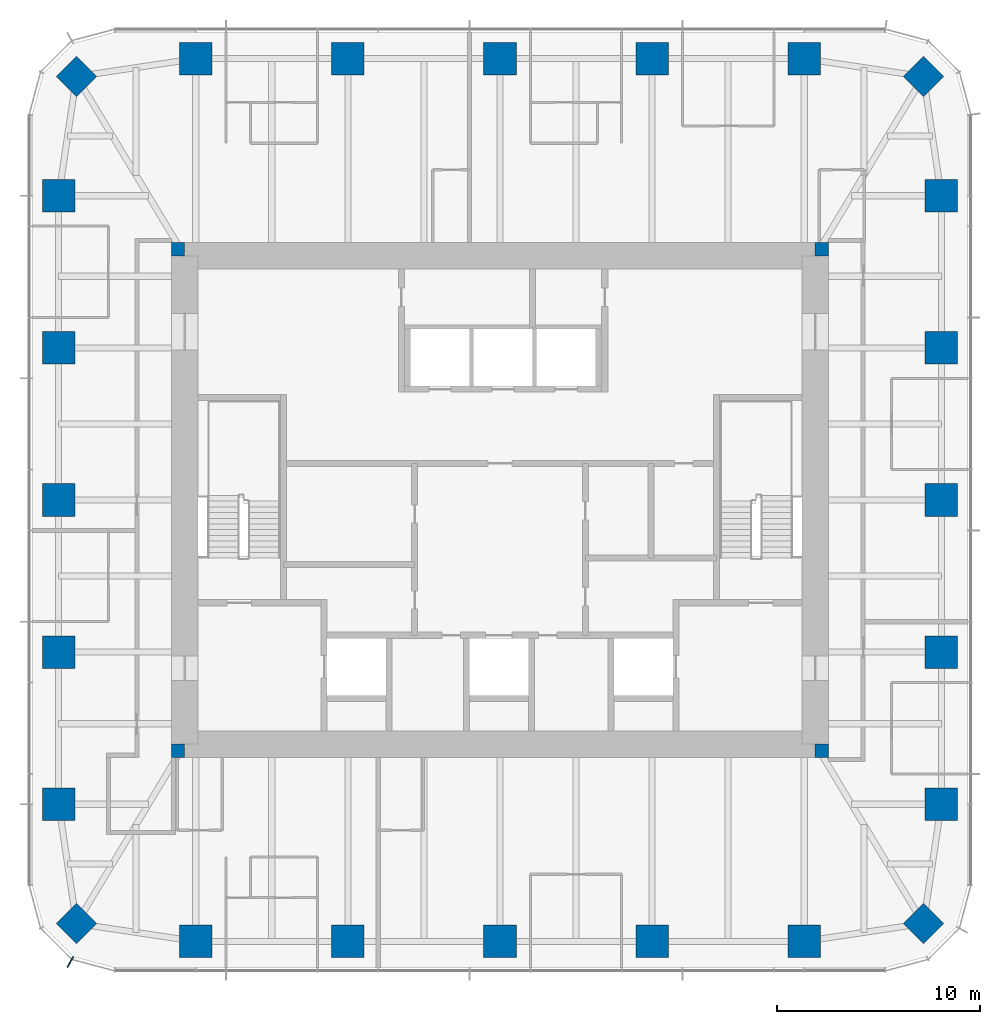
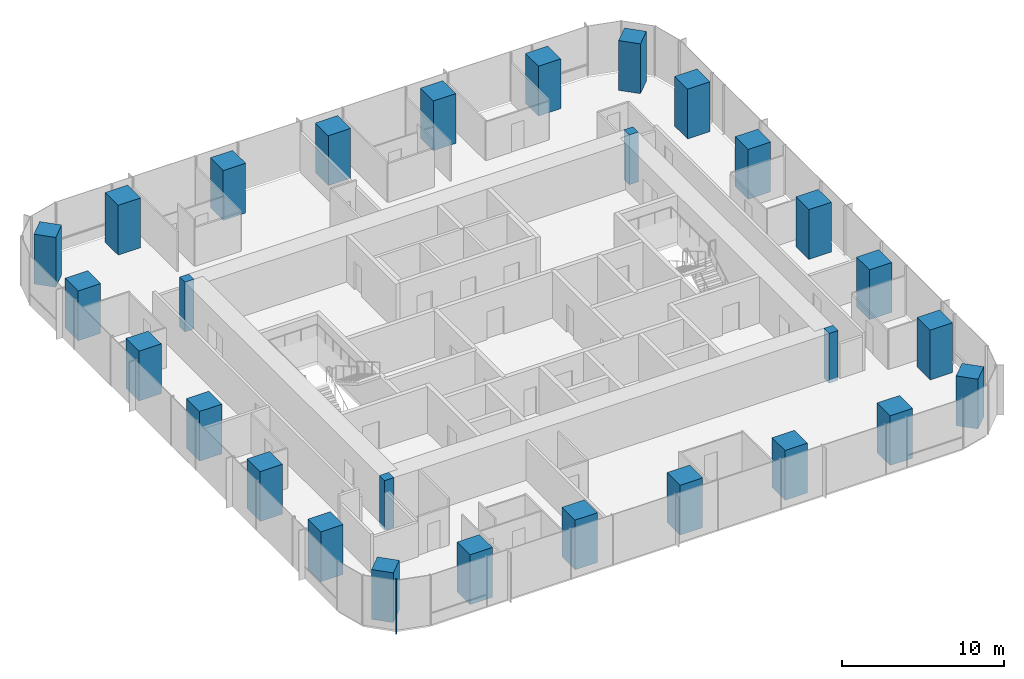
# One storey, part 1 of 12: 28 columns, 1 member, 1 element without a shape of its own.
"""IFC4 building model written with IfcOpenShell, lengths in metres."""

from ifc_helpers import new_model, si_unit, direction, frame, origin, origin_2d, place, context, subcontext, project, spatial, rectangle, extrude, material, material_profile, profile_set, type_object, element, aggregate, save


model = new_model("IFC4")

# Units and contexts
model_context = context("Model", 3, precision=1e-05, world=origin(), true_north=direction((0.0, 1.0)))
body_context = subcontext(model_context, "Body", "Model", "MODEL_VIEW")
ifc_project = project(units=[si_unit("LENGTHUNIT", "METRE"), si_unit("AREAUNIT", "SQUARE_METRE"), si_unit("VOLUMEUNIT", "CUBIC_METRE"), si_unit("PLANEANGLEUNIT", "RADIAN"), si_unit("MASSUNIT", "GRAM", prefix="KILO")], contexts=[model_context])

# Site, building, storey
site_placement = place(None, origin())
site = spatial("IfcSite", under=ifc_project, at=site_placement, CompositionType="ELEMENT")
building_placement = place(site_placement, origin())
building = spatial("IfcBuilding", under=site, at=building_placement, Name="Khuree Lantern Residences", CompositionType="ELEMENT")
storey_placement = place(building_placement, frame((0.0, 0.0, 338.25)))
storey = spatial("IfcBuildingStorey", under=building, at=storey_placement, Name="L85", CompositionType="ELEMENT", Elevation=338.25)

# Columns
ifc_material_1 = material(Name="Concrete C70/85", Category="concrete")
ifc_material_profile_1 = material_profile(ifc_material_1, rectangle(XDim=1.39990234375, YDim=1.39990234375, at=origin_2d()), Name="RC 1400X1400")
ifc_profile_set_1 = profile_set([ifc_material_profile_1], Name="Concrete C70/85")
column_type_1 = type_object("IfcColumnType", Name="CC1400 PERIMETER CORNER COLUMN RC 1400X1400", PredefinedType="COLUMN", material=ifc_profile_set_1)
for number, where, z_axis, x_axis, name in (
    (1, (20.8212890625, 20.8212890625, 0.0), (0.0, 0.0, 1.0), (0.707106781187, -0.707106781187, 0.0), "Perimeter column NE"),
    (2, (20.8212890625, -20.8212890625, 0.0), (0.0, 0.0, 1.0), (0.707106781187, 0.707106781187, 0.0), "Perimeter column SE"),
    (3, (-20.8212890625, -20.8212890625, 0.0), (0.0, 0.0, 1.0), (0.707106781187, -0.707106781187, 0.0), "Perimeter column SW"),
    (4, (-20.8212890625, 20.8212890625, 0.0), (0.0, 0.0, 1.0), (0.707106781187, 0.707106781187, 0.0), "Perimeter column NW"),
):
    element("IfcColumn", number, at=place(storey_placement, frame(where, z_axis=z_axis, x_axis=x_axis)), inside=storey, type_object=column_type_1, Name=name, PredefinedType="COLUMN", context=body_context, shape_type="SweptSolid", body=[
        extrude(rectangle(XDim=1.39990234375, YDim=1.39990234375, at=origin_2d()), origin(), (0.0, 0.0, 1.0), 3.75),
    ])
ifc_material_2 = material(Name="Concrete C50/60", Category="concrete")
ifc_material_profile_2 = material_profile(ifc_material_2, rectangle(XDim=0.64990234375, YDim=0.64990234375, at=origin_2d()), Name="RC 650X650")
ifc_profile_set_2 = profile_set([ifc_material_profile_2], Name="Concrete C50/60")
column_type_2 = type_object("IfcColumnType", Name="CP650-C50 CORE CORNER PIER C50 RC 650X650", PredefinedType="COLUMN", material=ifc_profile_set_2)
for number, where, z_axis, x_axis, name in (
    (5, (15.824951171875, 12.324951171875, -0.25), (0.0, 0.0, 1.0), (1.0, 0.0, 0.0), "Core corner pier NE"),
    (6, (-15.824951171875, 12.324951171875, -0.25), (0.0, 0.0, 1.0), (1.0, 0.0, 0.0), "Core corner pier NW"),
    (7, (-15.824951171875, -12.324951171875, -0.25), (0.0, 0.0, 1.0), (1.0, 0.0, 0.0), "Core corner pier SW"),
    (8, (15.824951171875, -12.324951171875, -0.25), (0.0, 0.0, 1.0), (1.0, 0.0, 0.0), "Core corner pier SE"),
):
    element("IfcColumn", number, at=place(storey_placement, frame(where, z_axis=z_axis, x_axis=x_axis)), inside=storey, type_object=column_type_2, Name=name, PredefinedType="COLUMN", context=body_context, shape_type="SweptSolid", body=[
        extrude(rectangle(XDim=0.64990234375, YDim=0.64990234375, at=origin_2d()), origin(), (0.0, 0.0, 1.0), 3.75),
    ])
ifc_material_profile_3 = material_profile(ifc_material_1, rectangle(XDim=1.60009765625, YDim=1.60009765625, at=origin_2d()), Name="RC 1600X1600")
ifc_profile_set_3 = profile_set([ifc_material_profile_3], Name="Concrete C70/85")
column_type_3 = type_object("IfcColumnType", Name="PC5 PERIMETER COLUMN RC 1600X1600", PredefinedType="COLUMN", material=ifc_profile_set_3)
for number, where, z_axis, x_axis, name in (
    (9, (-14.9599609375, 21.699951171875, 0.0), (0.0, 0.0, 1.0), (1.0, 0.0, 0.0), "Perimeter column N1"),
    (10, (-7.47998046875, 21.699951171875, 0.0), (0.0, 0.0, 1.0), (1.0, 0.0, 0.0), "Perimeter column N2"),
    (11, (0.0, 21.699951171875, 0.0), (0.0, 0.0, 1.0), (1.0, 0.0, 0.0), "Perimeter column N3"),
    (12, (7.47998046875, 21.699951171875, 0.0), (0.0, 0.0, 1.0), (1.0, 0.0, 0.0), "Perimeter column N4"),
    (13, (14.9599609375, 21.699951171875, 0.0), (0.0, 0.0, 1.0), (1.0, 0.0, 0.0), "Perimeter column N5"),
    (14, (21.699951171875, 14.9599609375, 0.0), (0.0, 0.0, 1.0), (0.0, 1.0, 0.0), "Perimeter column E1"),
    (15, (21.699951171875, 7.47998046875, 0.0), (0.0, 0.0, 1.0), (0.0, 1.0, 0.0), "Perimeter column E2"),
    (16, (21.699951171875, 0.0, 0.0), (0.0, 0.0, 1.0), (0.0, 1.0, 0.0), "Perimeter column E3"),
    (17, (21.699951171875, -7.47998046875, 0.0), (0.0, 0.0, 1.0), (0.0, 1.0, 0.0), "Perimeter column E4"),
    (18, (21.699951171875, -14.9599609375, 0.0), (0.0, 0.0, 1.0), (0.0, 1.0, 0.0), "Perimeter column E5"),
    (19, (14.9599609375, -21.699951171875, 0.0), (0.0, 0.0, 1.0), (1.0, 0.0, 0.0), "Perimeter column S1"),
    (20, (7.47998046875, -21.699951171875, 0.0), (0.0, 0.0, 1.0), (1.0, 0.0, 0.0), "Perimeter column S2"),
    (21, (0.0, -21.699951171875, 0.0), (0.0, 0.0, 1.0), (1.0, 0.0, 0.0), "Perimeter column S3"),
    (22, (-7.47998046875, -21.699951171875, 0.0), (0.0, 0.0, 1.0), (1.0, 0.0, 0.0), "Perimeter column S4"),
    (23, (-14.9599609375, -21.699951171875, 0.0), (0.0, 0.0, 1.0), (1.0, 0.0, 0.0), "Perimeter column S5"),
    (24, (-21.699951171875, -14.9599609375, 0.0), (0.0, 0.0, 1.0), (0.0, 1.0, 0.0), "Perimeter column W1"),
    (25, (-21.699951171875, -7.47998046875, 0.0), (0.0, 0.0, 1.0), (0.0, 1.0, 0.0), "Perimeter column W2"),
    (26, (-21.699951171875, 0.0, 0.0), (0.0, 0.0, 1.0), (0.0, 1.0, 0.0), "Perimeter column W3"),
    (27, (-21.699951171875, 7.47998046875, 0.0), (0.0, 0.0, 1.0), (0.0, 1.0, 0.0), "Perimeter column W4"),
    (28, (-21.699951171875, 14.9599609375, 0.0), (0.0, 0.0, 1.0), (0.0, 1.0, 0.0), "Perimeter column W5"),
):
    element("IfcColumn", number, at=place(storey_placement, frame(where, z_axis=z_axis, x_axis=x_axis)), inside=storey, type_object=column_type_3, Name=name, PredefinedType="COLUMN", context=body_context, shape_type="SweptSolid", body=[
        extrude(rectangle(XDim=1.60009765625, YDim=1.60009765625, at=origin_2d()), origin(), (0.0, 0.0, 1.0), 3.75),
    ])

# Curtain wall, member
ifc_material_3 = material(Name="Bronze anodised aluminium", Category="aluminium")
curtain_wall_type = type_object("IfcCurtainWallType", Name="CW-T2 TOWER CORNER CURTAIN WALL", PredefinedType="USERDEFINED", material=ifc_material_3)
curtain_wall_placement = place(storey_placement, origin())
curtain_wall = element("IfcCurtainWall", 29, at=curtain_wall_placement, inside=storey, type_object=curtain_wall_type, Name="L85 SOUTH-WEST CORNER CURTAIN WALL", ObjectType="Faceted corner curtain wall", PredefinedType="USERDEFINED")
ifc_material_profile_4 = material_profile(ifc_material_3, rectangle(XDim=0.06494140625, YDim=0.60009765625, at=origin_2d()), Name="F1 65X600")
ifc_profile_set_4 = profile_set([ifc_material_profile_4], Name="Bronze anodised aluminium")
member_type = type_object("IfcMemberType", Name="F1 BRONZE FIN MULLION TOWER 65X600", PredefinedType="MULLION", material=ifc_profile_set_4)
member_placement = place(storey_placement, frame((-21.125, -22.71728515625, 0.0), z_axis=(0.0, 0.0, 1.0), x_axis=(0.866025437565, -0.49999994149, 0.0)))
member = element("IfcMember", 30, at=member_placement, type_object=member_type, Name="L85 SOUTH-WEST CORNER FIN MULLION 45", PredefinedType="MULLION", context=body_context, shape_type="SweptSolid", body=[
    extrude(rectangle(XDim=0.06494140625, YDim=0.60009765625, at=origin_2d()), origin(), (0.0, 0.0, 1.0), 3.75),
])
aggregate(curtain_wall, [member])

save(model, "model.ifc")
